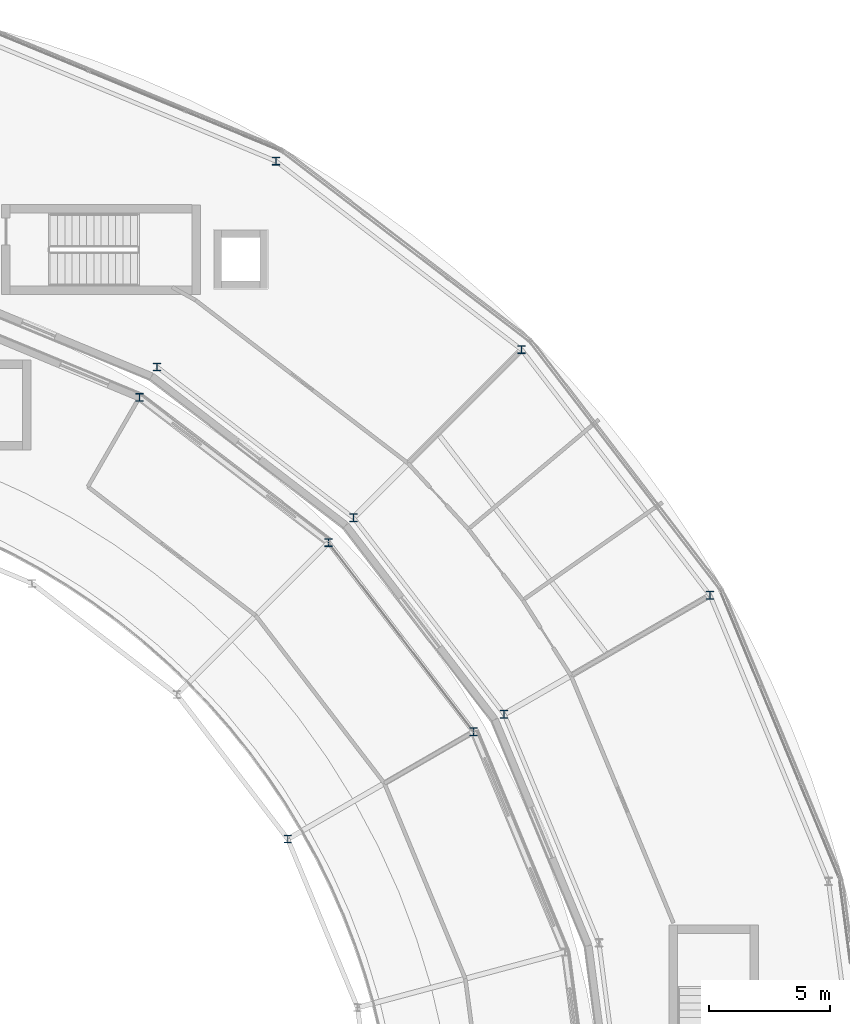
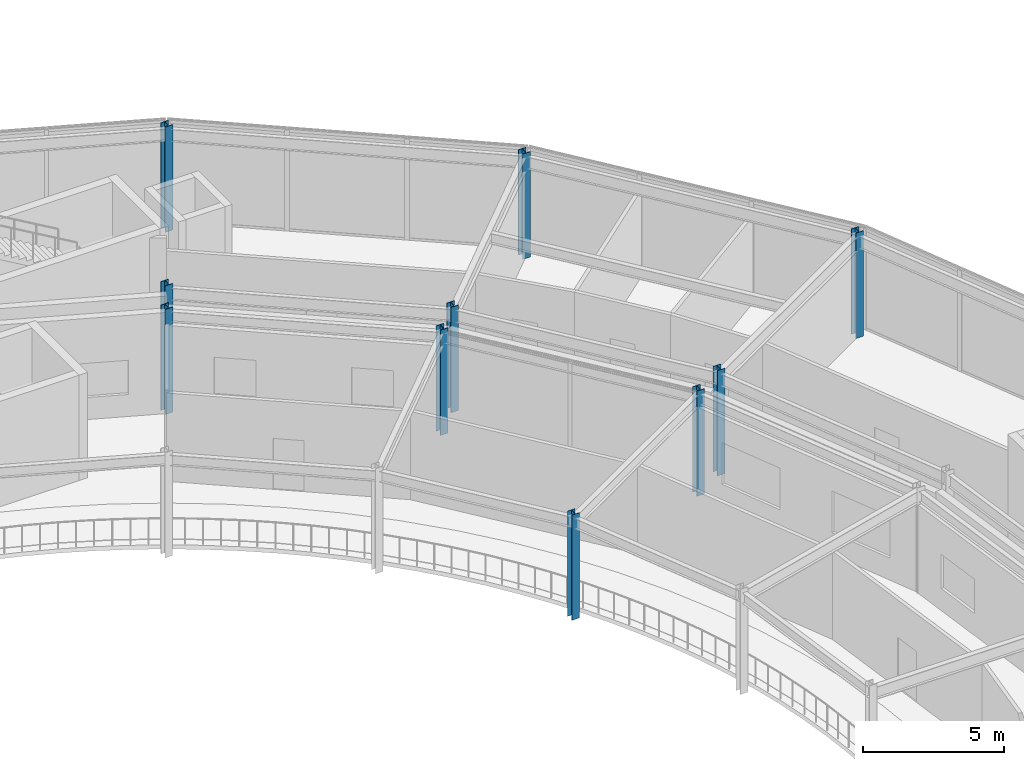
# One storey, part 13 of 133: 10 columns.
"""IFC4 building model written with IfcOpenShell, lengths in metres."""

from ifc_helpers import new_model, si_unit, direction, frame, origin, origin_2d, place, context, subcontext, project, spatial, i_section, extrude, material, material_profile, profile_set, type_object, element, save


model = new_model("IFC4")

# Units and contexts
model_context = context("Model", 3, precision=1e-05, world=origin(), true_north=direction((0.0, 1.0)))
body_context = subcontext(model_context, "Body", "Model", "MODEL_VIEW")
ifc_project = project(units=[si_unit("LENGTHUNIT", "METRE"), si_unit("AREAUNIT", "SQUARE_METRE"), si_unit("VOLUMEUNIT", "CUBIC_METRE"), si_unit("PLANEANGLEUNIT", "RADIAN"), si_unit("MASSUNIT", "GRAM", prefix="KILO")], contexts=[model_context])

# Site, building, storey
site_placement = place(None, origin())
site = spatial("IfcSite", under=ifc_project, at=site_placement, CompositionType="ELEMENT")
building_placement = place(site_placement, origin())
building = spatial("IfcBuilding", under=site, at=building_placement, Name="Almandine Court Research Institute", CompositionType="ELEMENT")
storey_placement = place(building_placement, frame((0.0, 0.0, 9.800048828125)))
storey = spatial("IfcBuildingStorey", under=building, at=storey_placement, Name="L02", CompositionType="ELEMENT", Elevation=9.800048828125)

# Columns
ifc_material = material(Name="Steel ASTM A992 Grade 50", Category="steel")
ifc_material_profile_1 = material_profile(ifc_material, i_section(OverallWidth=0.31005859375, OverallDepth=0.326904296875, WebThickness=0.01611328125, FlangeThickness=0.02490234375, at=origin_2d()), Name="W310x158")
ifc_profile_set_1 = profile_set([ifc_material_profile_1], Name="Steel ASTM A992 Grade 50")
column_type_1 = type_object("IfcColumnType", Name="Col-C-W06", PredefinedType="COLUMN", material=ifc_profile_set_1)
for number, where, z_axis, x_axis, name in (
    (1, (119.60595703125, 74.824951171875, 0.0), (0.0, 0.0, 1.0), (1.0, 0.0, 0.0), "L02 V2 Column V2-OUT-S02"),
    (2, (113.623046875, 82.623046875, 0.0), (0.0, 0.0, 1.0), (1.0, 0.0, 0.0), "L02 V2 Column V2-OUT-S03"),
    (3, (105.824951171875, 88.60595703125, 0.0), (0.0, 0.0, 1.0), (1.0, 0.0, 0.0), "L02 V2 Column V2-OUT-S04"),
):
    element("IfcColumn", number, at=place(storey_placement, frame(where, z_axis=z_axis, x_axis=x_axis)), inside=storey, type_object=column_type_1, Name=name, PredefinedType="COLUMN", context=body_context, shape_type="SweptSolid", body=[
        extrude(i_section(OverallWidth=0.31005859375, OverallDepth=0.326904296875, WebThickness=0.01611328125, FlangeThickness=0.02490234375, at=origin_2d()), origin(), (0.0, 0.0, 1.0), 4.550048828125),
    ])
ifc_material_profile_2 = material_profile(ifc_material, i_section(OverallWidth=0.31005859375, OverallDepth=0.326904296875, WebThickness=0.01611328125, FlangeThickness=0.02490234375, at=origin_2d()), Name="W310x158")
ifc_profile_set_2 = profile_set([ifc_material_profile_2], Name="Steel ASTM A992 Grade 50")
column_type_2 = type_object("IfcColumnType", Name="Col-C-W06-E", PredefinedType="COLUMN", material=ifc_profile_set_2)
for number, where, z_axis, x_axis, name in (
    (4, (120.862060546875, 75.550048828125, 0.0), (0.0, 0.0, 1.0), (1.0, 0.0, 0.0), "L02 V5 Column V5-IN-S02"),
    (5, (129.34912109375, 80.449951171875, 0.0), (0.0, 0.0, 1.0), (1.0, 0.0, 0.0), "L02 V5 Column V5-OUT-S02"),
    (6, (114.64794921875, 83.64794921875, 0.0), (0.0, 0.0, 1.0), (1.0, 0.0, 0.0), "L02 V5 Column V5-IN-S03"),
    (7, (121.577880859375, 90.577880859375, 0.0), (0.0, 0.0, 1.0), (1.0, 0.0, 0.0), "L02 V5 Column V5-OUT-S03"),
    (8, (106.550048828125, 89.862060546875, 0.0), (0.0, 0.0, 1.0), (1.0, 0.0, 0.0), "L02 V5 Column V5-IN-S04"),
    (9, (111.449951171875, 98.34912109375, 0.0), (0.0, 0.0, 1.0), (1.0, 0.0, 0.0), "L02 V5 Column V5-OUT-S04"),
):
    element("IfcColumn", number, at=place(storey_placement, frame(where, z_axis=z_axis, x_axis=x_axis)), inside=storey, type_object=column_type_2, Name=name, PredefinedType="COLUMN", context=body_context, shape_type="SweptSolid", body=[
        extrude(i_section(OverallWidth=0.31005859375, OverallDepth=0.326904296875, WebThickness=0.01611328125, FlangeThickness=0.02490234375, at=origin_2d()), origin(), (0.0, 0.0, 1.0), 4.550048828125),
    ])
ifc_material_profile_3 = material_profile(ifc_material, i_section(OverallWidth=0.305908203125, OverallDepth=0.31103515625, WebThickness=0.010986328125, FlangeThickness=0.01708984375, at=origin_2d()), Name="W310x107")
ifc_profile_set_3 = profile_set([ifc_material_profile_3], Name="Steel ASTM A992 Grade 50")
column_type_3 = type_object("IfcColumnType", Name="Col-C-W08", PredefinedType="COLUMN", material=ifc_profile_set_3)
column_placement = place(storey_placement, frame((111.94189453125, 70.39990234375, 0.0), z_axis=(0.0, 0.0, 1.0), x_axis=(1.0, 0.0, 0.0)))
element("IfcColumn", 10, at=column_placement, inside=storey, type_object=column_type_3, Name="L02 V2 Column V2-MID-S02", PredefinedType="COLUMN", context=body_context, shape_type="SweptSolid", body=[
    extrude(i_section(OverallWidth=0.305908203125, OverallDepth=0.31103515625, WebThickness=0.010986328125, FlangeThickness=0.01708984375, at=origin_2d()), origin(), (0.0, 0.0, 1.0), 4.550048828125),
])

save(model, "model.ifc")
